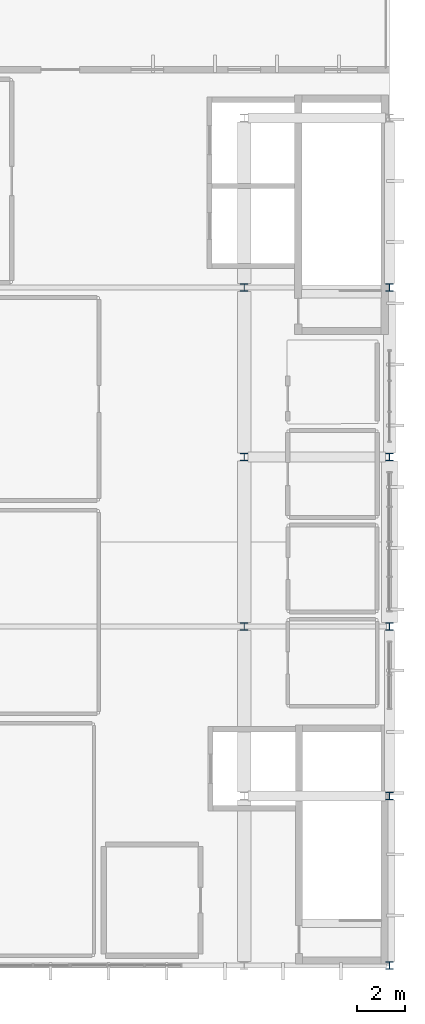
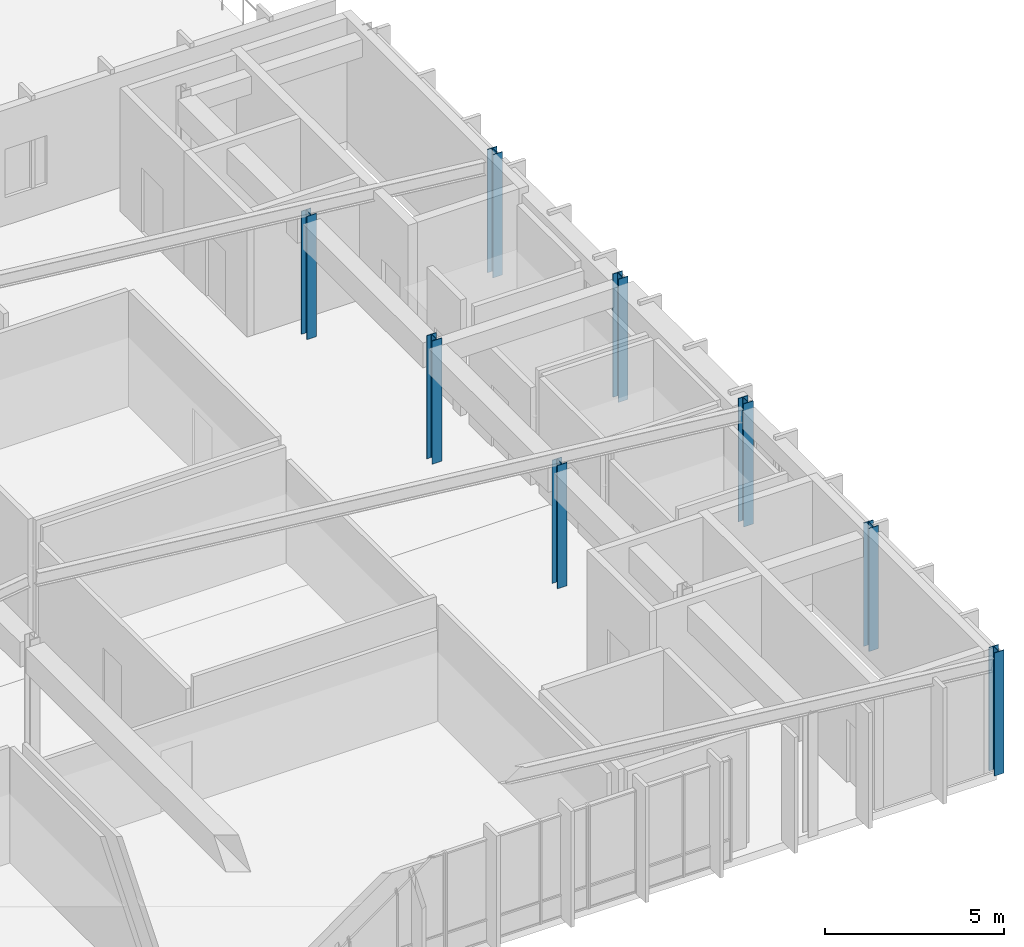
# One storey, part 2 of 16: 8 columns.
"""IFC4 building model written with IfcOpenShell, lengths in metres."""

from ifc_helpers import new_model, si_unit, direction, frame, origin, origin_2d, place, context, subcontext, project, spatial, i_section, extrude, material, material_profile, profile_set, type_object, element, save


model = new_model("IFC4")

# Units and contexts
model_context = context("Model", 3, precision=1e-05, world=origin(), true_north=direction((0.0, 1.0)))
body_context = subcontext(model_context, "Body", "Model", "MODEL_VIEW")
ifc_project = project(units=[si_unit("LENGTHUNIT", "METRE"), si_unit("AREAUNIT", "SQUARE_METRE"), si_unit("VOLUMEUNIT", "CUBIC_METRE"), si_unit("PLANEANGLEUNIT", "RADIAN"), si_unit("MASSUNIT", "GRAM", prefix="KILO")], contexts=[model_context])

# Site, building, storey
site_placement = place(None, origin())
site = spatial("IfcSite", under=ifc_project, at=site_placement, CompositionType="ELEMENT")
building_placement = place(site_placement, origin())
building = spatial("IfcBuilding", under=site, at=building_placement, Name="Larkveld Mobility Hub", CompositionType="ELEMENT")
storey_placement = place(building_placement, frame((0.0, 0.0, 22.800048828125)))
storey = spatial("IfcBuildingStorey", under=building, at=storey_placement, Name="L06", CompositionType="ELEMENT", Elevation=22.800048828125)

# Columns
ifc_material = material(Name="Steel S355JR", Category="steel")
ifc_material_profile = material_profile(ifc_material, i_section(OverallWidth=0.30908203125, OverallDepth=0.320556640625, WebThickness=0.013916015625, FlangeThickness=0.021728515625, FilletRadius=0.01513671875, at=origin_2d()), Name="UC 305x305x137")
ifc_profile_set = profile_set([ifc_material_profile], Name="Steel S355JR")
column_type = type_object("IfcColumnType", Name="CL-STUC305", PredefinedType="COLUMN", material=ifc_profile_set)
for number, where, z_axis, x_axis, name in (
    (1, (146.0, 42.0, 0.0), (0.0, 0.0, 1.0), (1.0, 0.0, 0.0), "Column EV-X146-Y42 (L06)"),
    (2, (146.0, 49.0, 0.0), (0.0, 0.0, 1.0), (1.0, 0.0, 0.0), "Column EV-X146-Y49 (L06)"),
    (3, (146.0, 56.0, 0.0), (0.0, 0.0, 1.0), (1.0, 0.0, 0.0), "Column EV-X146-Y56 (L06)"),
    (4, (152.0, 28.0, 0.0), (0.0, 0.0, 1.0), (1.0, 0.0, 0.0), "Column EV-X152-Y28 (L06)"),
    (5, (152.0, 35.0, 0.0), (0.0, 0.0, 1.0), (1.0, 0.0, 0.0), "Column EV-X152-Y35 (L06)"),
    (6, (152.0, 42.0, 0.0), (0.0, 0.0, 1.0), (1.0, 0.0, 0.0), "Column EV-X152-Y42 (L06)"),
    (7, (152.0, 49.0, 0.0), (0.0, 0.0, 1.0), (1.0, 0.0, 0.0), "Column EV-X152-Y49 (L06)"),
    (8, (152.0, 56.0, 0.0), (0.0, 0.0, 1.0), (1.0, 0.0, 0.0), "Column EV-X152-Y56 (L06)"),
):
    element("IfcColumn", number, at=place(storey_placement, frame(where, z_axis=z_axis, x_axis=x_axis)), inside=storey, type_object=column_type, Name=name, PredefinedType="COLUMN", context=body_context, shape_type="SweptSolid", body=[
        extrude(i_section(OverallWidth=0.30908203125, OverallDepth=0.320556640625, WebThickness=0.013916015625, FlangeThickness=0.021728515625, FilletRadius=0.01513671875, at=origin_2d()), origin(), (0.0, 0.0, 1.0), 4.199951171875),
    ])

save(model, "model.ifc")
